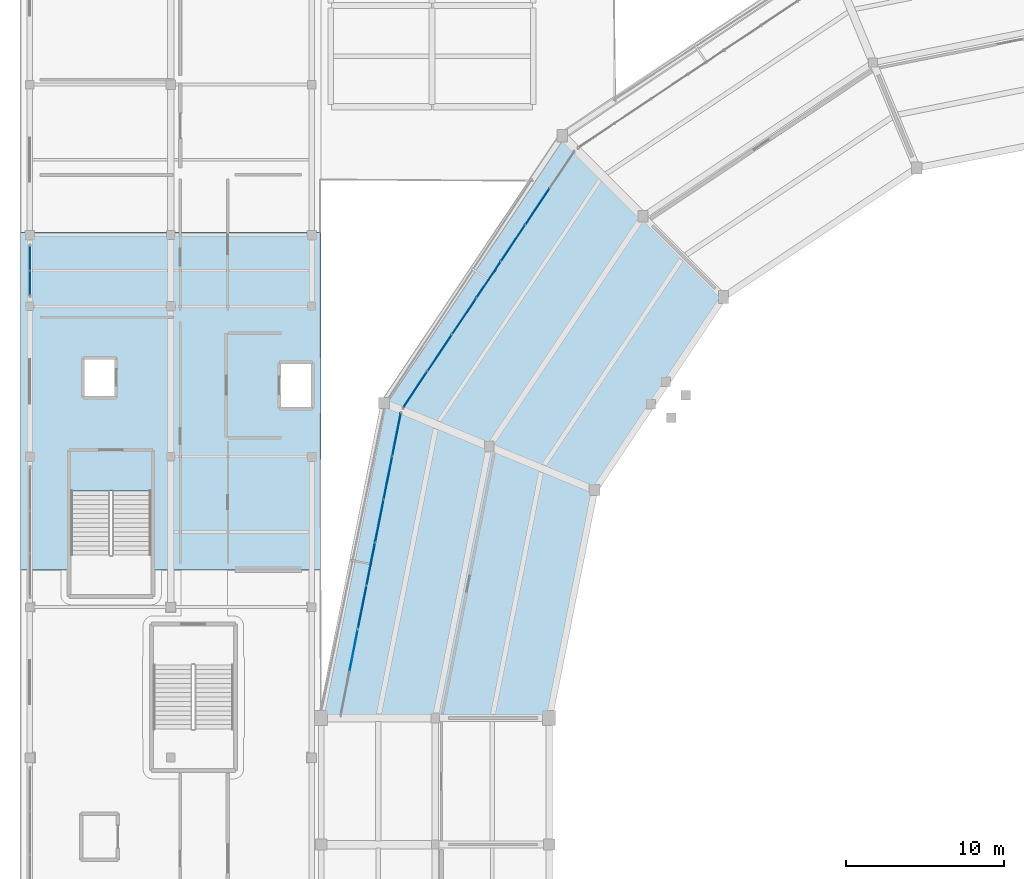
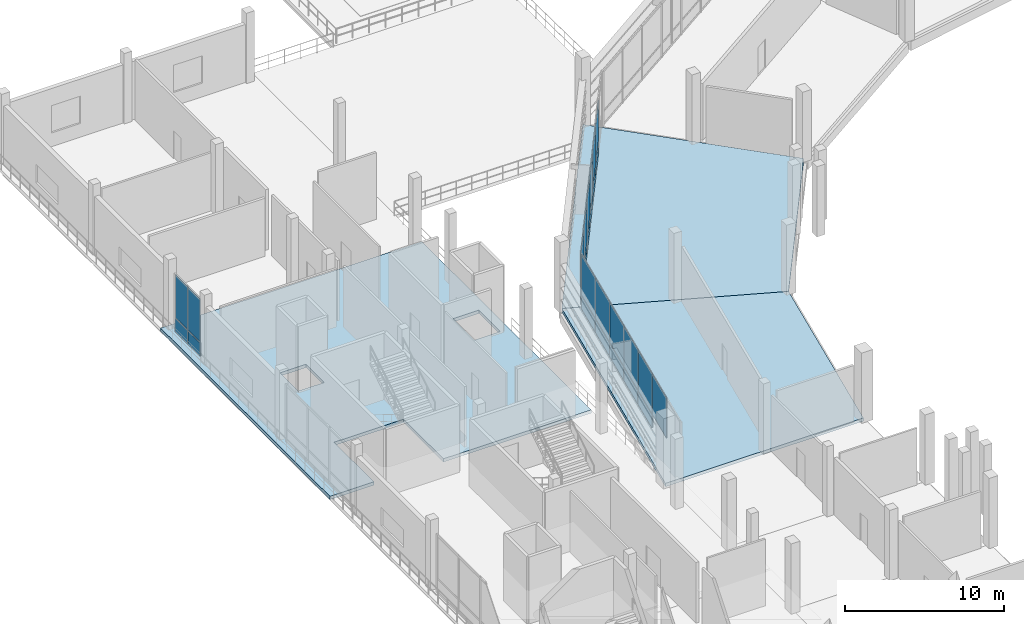
# One storey, part 62 of 111: 27 plates, 3 slabs, 3 elements without a shape of their own.
"""IFC4 building model written with IfcOpenShell, lengths in metres."""

from ifc_helpers import new_model, si_unit, direction, frame, origin, origin_2d, place, context, subcontext, project, spatial, polyline, rectangle, outline, extrude, material, layer, layer_set, type_object, element, aggregate, save


model = new_model("IFC4")

# Units and contexts
model_context = context("Model", 3, precision=1e-05, world=origin(), true_north=direction((0.0, 1.0)))
body_context = subcontext(model_context, "Body", "Model", "MODEL_VIEW")
ifc_project = project(units=[si_unit("LENGTHUNIT", "METRE"), si_unit("AREAUNIT", "SQUARE_METRE"), si_unit("VOLUMEUNIT", "CUBIC_METRE"), si_unit("PLANEANGLEUNIT", "RADIAN"), si_unit("MASSUNIT", "GRAM", prefix="KILO")], contexts=[model_context])

# Site, building, storey
site_placement = place(None, origin())
site = spatial("IfcSite", under=ifc_project, at=site_placement, CompositionType="ELEMENT")
building_placement = place(site_placement, origin())
building = spatial("IfcBuilding", under=site, at=building_placement, Name="Candeia Ridge Stadium", CompositionType="ELEMENT")
storey_placement = place(building_placement, frame((0.0, 0.0, 16.199951171875)))
storey = spatial("IfcBuildingStorey", under=building, at=storey_placement, Name="L03", CompositionType="ELEMENT", Elevation=16.199951171875)

# Slabs
ifc_material_1 = material(Name="Concrete C40/50", Category="concrete")
ifc_layer_1 = layer(ifc_material_1, 0.25, Name="Concrete C40/50", Category="concrete")
ifc_layer_set_1 = layer_set([ifc_layer_1], Name="Concrete C40/50")
slab_type = type_object("IfcSlabType", Name="Hospitality & Museum Slab 250", PredefinedType="FLOOR", material=ifc_layer_set_1)
slab_1_placement = place(storey_placement, frame((0.0, 0.0, -0.25)))
element("IfcSlab", 1, at=slab_1_placement, inside=storey, type_object=slab_type, Name="Bowl concourse sector slab L03 bay 10 SLB-L03-0118", PredefinedType="FLOOR", context=body_context, shape_type="SweptSolid", body=[
    extrude(outline(polyline([(36.26220703125, 109.388916015625), (22.958251953125, 114.8994140625), (34.208251953125, 131.736328125), (44.390625, 121.553955078125), (36.26220703125, 109.388916015625)])), origin(), (0.0, 0.0, 1.0), 0.25),
])
slab_2_placement = place(storey_placement, frame((0.0, 0.0, -0.25)))
element("IfcSlab", 2, at=slab_2_placement, inside=storey, type_object=slab_type, Name="Bowl concourse sector slab L03 bay 11 SLB-L03-0119", PredefinedType="FLOOR", context=body_context, shape_type="SweptSolid", body=[
    extrude(outline(polyline([(33.39990234375, 95.0), (19.0, 95.0), (22.958251953125, 114.8994140625), (36.26220703125, 109.388916015625), (33.39990234375, 95.0)])), origin(), (0.0, 0.0, 1.0), 0.25),
])
slab_3_placement = place(storey_placement, frame((0.0, 0.0, -0.25)))
element("IfcSlab", 3, at=slab_3_placement, inside=storey, type_object=slab_type, Name="Wing floor slab west SLB-L03-0280", PredefinedType="FLOOR", context=body_context, shape_type="SweptSolid", body=[
    extrude(outline(polyline([(0.0, 104.333251953125), (0.0, 125.666748046875), (19.0, 125.666748046875), (19.0, 104.333251953125), (8.25, 104.333251953125), (8.25, 109.349365234375), (3.199951171875, 109.349365234375), (3.199951171875, 104.333251953125), (0.0, 104.333251953125)]), holes=[polyline([(18.35009765625, 114.64990234375), (18.35009765625, 117.35009765625), (16.449951171875, 117.35009765625), (16.449951171875, 114.64990234375), (18.35009765625, 114.64990234375)]), polyline([(5.949951171875, 115.35009765625), (5.949951171875, 117.64990234375), (4.050048828125, 117.64990234375), (4.050048828125, 115.35009765625), (5.949951171875, 115.35009765625)])]), origin(), (0.0, 0.0, 1.0), 0.25),
])

# Curtain wall, plates
ifc_material_2 = material(Name="Aluminium Anodized Warm Bronze", Category="aluminium")
curtain_wall_type_1 = type_object("IfcCurtainWallType", Name="Concourse Recessed Unitised Curtain Wall", PredefinedType="NOTDEFINED", material=ifc_material_2)
curtain_wall_1_placement = place(storey_placement, origin())
curtain_wall_1 = element("IfcCurtainWall", 4, at=curtain_wall_1_placement, inside=storey, type_object=curtain_wall_type_1, Name="Unitised curtain wall CW-BWL-L03-09", PredefinedType="NOTDEFINED")
ifc_material_3 = material(Name="Aluminium Insulated Spandrel", Category="aluminium")
ifc_layer_2 = layer(ifc_material_3, 0.06494140625, Name="Aluminium Insulated Spandrel", Category="aluminium")
ifc_layer_set_2 = layer_set([ifc_layer_2], Name="Aluminium Insulated Spandrel")
plate_type_1 = type_object("IfcPlateType", Name="Insulated Bronze Spandrel Panel SP1", PredefinedType="CURTAIN_PANEL", material=ifc_layer_set_2)
plate_1_placement = place(storey_placement, frame((32.662109375, 127.303955078125, 0.0400390625), z_axis=(0.0, 0.0, 1.0), x_axis=(-0.555571447533, -0.831468800789, 0.0)))
plate_1 = element("IfcPlate", 5, at=plate_1_placement, type_object=plate_type_1, Name="Curtain wall spandrel panel CW-BWL-L03-09-SP1", PredefinedType="CURTAIN_PANEL", context=body_context, shape_type="SweptSolid", body=[
    extrude(rectangle(XDim=2.710205078125, YDim=0.06494140625, at=origin_2d()), origin(), (0.0, 0.0, 1.0), 0.97119140625),
])
plate_2_placement = place(storey_placement, frame((31.117431640625, 124.9921875, 0.0400390625), z_axis=(0.0, 0.0, 1.0), x_axis=(-0.555571447533, -0.831468800789, 0.0)))
plate_2 = element("IfcPlate", 6, at=plate_2_placement, type_object=plate_type_1, Name="Curtain wall spandrel panel CW-BWL-L03-09-SP2", PredefinedType="CURTAIN_PANEL", context=body_context, shape_type="SweptSolid", body=[
    extrude(rectangle(XDim=2.710205078125, YDim=0.06494140625, at=origin_2d()), origin(), (0.0, 0.0, 1.0), 0.97119140625),
])
plate_3_placement = place(storey_placement, frame((29.572998046875, 122.6806640625, 0.0400390625), z_axis=(0.0, 0.0, 1.0), x_axis=(-0.555571447533, -0.831468800789, 0.0)))
plate_3 = element("IfcPlate", 7, at=plate_3_placement, type_object=plate_type_1, Name="Curtain wall spandrel panel CW-BWL-L03-09-SP3", PredefinedType="CURTAIN_PANEL", context=body_context, shape_type="SweptSolid", body=[
    extrude(rectangle(XDim=2.710205078125, YDim=0.06494140625, at=origin_2d()), origin(), (0.0, 0.0, 1.0), 0.97119140625),
])
plate_4_placement = place(storey_placement, frame((28.0283203125, 120.369140625, 0.0400390625), z_axis=(0.0, 0.0, 1.0), x_axis=(-0.555571447533, -0.831468800789, 0.0)))
plate_4 = element("IfcPlate", 8, at=plate_4_placement, type_object=plate_type_1, Name="Curtain wall spandrel panel CW-BWL-L03-09-SP4", PredefinedType="CURTAIN_PANEL", context=body_context, shape_type="SweptSolid", body=[
    extrude(rectangle(XDim=2.710205078125, YDim=0.06494140625, at=origin_2d()), origin(), (0.0, 0.0, 1.0), 0.97119140625),
])
plate_5_placement = place(storey_placement, frame((26.48388671875, 118.057373046875, 0.0400390625), z_axis=(0.0, 0.0, 1.0), x_axis=(-0.555571447533, -0.831468800789, 0.0)))
plate_5 = element("IfcPlate", 9, at=plate_5_placement, type_object=plate_type_1, Name="Curtain wall spandrel panel CW-BWL-L03-09-SP5", PredefinedType="CURTAIN_PANEL", context=body_context, shape_type="SweptSolid", body=[
    extrude(rectangle(XDim=2.710205078125, YDim=0.06494140625, at=origin_2d()), origin(), (0.0, 0.0, 1.0), 0.97119140625),
])
plate_6_placement = place(storey_placement, frame((24.939208984375, 115.745849609375, 0.0400390625), z_axis=(0.0, 0.0, 1.0), x_axis=(-0.555571447533, -0.831468800789, 0.0)))
plate_6 = element("IfcPlate", 10, at=plate_6_placement, type_object=plate_type_1, Name="Curtain wall spandrel panel CW-BWL-L03-09-SP6", PredefinedType="CURTAIN_PANEL", context=body_context, shape_type="SweptSolid", body=[
    extrude(rectangle(XDim=2.710205078125, YDim=0.06494140625, at=origin_2d()), origin(), (0.0, 0.0, 1.0), 0.97119140625),
])

curtain_wall_2_placement = place(storey_placement, origin())
curtain_wall_2 = element("IfcCurtainWall", 11, at=curtain_wall_2_placement, inside=storey, type_object=curtain_wall_type_1, Name="Unitised curtain wall CW-BWL-L03-10", PredefinedType="NOTDEFINED")
ifc_layer_3 = layer(ifc_material_3, 0.06494140625, Name="Aluminium Insulated Spandrel", Category="aluminium")
ifc_layer_set_3 = layer_set([ifc_layer_3], Name="Aluminium Insulated Spandrel")
plate_type_2 = type_object("IfcPlateType", Name="Insulated Bronze Spandrel Panel SP2", PredefinedType="CURTAIN_PANEL", material=ifc_layer_set_3)
plate_7_placement = place(storey_placement, frame((23.760498046875, 112.900390625, 0.0400390625), z_axis=(0.0, 0.0, 1.0), x_axis=(-0.195090320544, -0.980785280696, 0.0)))
plate_7 = element("IfcPlate", 12, at=plate_7_placement, type_object=plate_type_2, Name="Curtain wall spandrel panel CW-BWL-L03-10-SP0", PredefinedType="CURTAIN_PANEL", context=body_context, shape_type="SweptSolid", body=[
    extrude(rectangle(XDim=2.710205078125, YDim=0.06494140625, at=origin_2d()), origin(), (0.0, 0.0, 1.0), 0.981201171875),
])
plate_8_placement = place(storey_placement, frame((23.21826171875, 110.173583984375, 0.0400390625), z_axis=(0.0, 0.0, 1.0), x_axis=(-0.195090320544, -0.980785280696, 0.0)))
plate_8 = element("IfcPlate", 13, at=plate_8_placement, type_object=plate_type_2, Name="Curtain wall spandrel panel CW-BWL-L03-10-SP1", PredefinedType="CURTAIN_PANEL", context=body_context, shape_type="SweptSolid", body=[
    extrude(rectangle(XDim=2.710205078125, YDim=0.06494140625, at=origin_2d()), origin(), (0.0, 0.0, 1.0), 0.981201171875),
])
plate_9_placement = place(storey_placement, frame((22.67578125, 107.447021484375, 0.0400390625), z_axis=(0.0, 0.0, 1.0), x_axis=(-0.195090320544, -0.980785280696, 0.0)))
plate_9 = element("IfcPlate", 14, at=plate_9_placement, type_object=plate_type_2, Name="Curtain wall spandrel panel CW-BWL-L03-10-SP2", PredefinedType="CURTAIN_PANEL", context=body_context, shape_type="SweptSolid", body=[
    extrude(rectangle(XDim=2.710205078125, YDim=0.06494140625, at=origin_2d()), origin(), (0.0, 0.0, 1.0), 0.981201171875),
])
plate_10_placement = place(storey_placement, frame((22.13330078125, 104.72021484375, 0.0400390625), z_axis=(0.0, 0.0, 1.0), x_axis=(-0.195090320544, -0.980785280696, 0.0)))
plate_10 = element("IfcPlate", 15, at=plate_10_placement, type_object=plate_type_2, Name="Curtain wall spandrel panel CW-BWL-L03-10-SP3", PredefinedType="CURTAIN_PANEL", context=body_context, shape_type="SweptSolid", body=[
    extrude(rectangle(XDim=2.710205078125, YDim=0.06494140625, at=origin_2d()), origin(), (0.0, 0.0, 1.0), 0.981201171875),
])
plate_11_placement = place(storey_placement, frame((21.591064453125, 101.993408203125, 0.0400390625), z_axis=(0.0, 0.0, 1.0), x_axis=(-0.195090320544, -0.980785280696, 0.0)))
plate_11 = element("IfcPlate", 16, at=plate_11_placement, type_object=plate_type_2, Name="Curtain wall spandrel panel CW-BWL-L03-10-SP4", PredefinedType="CURTAIN_PANEL", context=body_context, shape_type="SweptSolid", body=[
    extrude(rectangle(XDim=2.710205078125, YDim=0.06494140625, at=origin_2d()), origin(), (0.0, 0.0, 1.0), 0.981201171875),
])

curtain_wall_type_2 = type_object("IfcCurtainWallType", Name="West Pavilion Hospitality Curtain Wall", PredefinedType="NOTDEFINED", material=ifc_material_2)
curtain_wall_3_placement = place(storey_placement, origin())
curtain_wall_3 = element("IfcCurtainWall", 17, at=curtain_wall_3_placement, inside=storey, type_object=curtain_wall_type_2, Name="Unitised curtain wall CW-WNG-L03-092", PredefinedType="NOTDEFINED")
ifc_layer_4 = layer(ifc_material_3, 0.06494140625, Name="Aluminium Insulated Spandrel", Category="aluminium")
ifc_layer_set_4 = layer_set([ifc_layer_4], Name="Aluminium Insulated Spandrel")
plate_type_3 = type_object("IfcPlateType", Name="Insulated Cedar-Tone Spandrel Panel SP3", PredefinedType="CURTAIN_PANEL", material=ifc_layer_set_4)
plate_12_placement = place(storey_placement, frame((0.60009765625, 122.455078125, 0.0400390625), z_axis=(0.0, 0.0, 1.0), x_axis=(0.0, 1.0, 0.0)))
plate_12 = element("IfcPlate", 18, at=plate_12_placement, type_object=plate_type_3, Name="Curtain wall spandrel panel CW-WNG-L03-092-SP0", PredefinedType="CURTAIN_PANEL", context=body_context, shape_type="SweptSolid", body=[
    extrude(rectangle(XDim=1.52001953125, YDim=0.06494140625, at=origin_2d()), origin(), (0.0, 0.0, 1.0), 1.02001953125),
])
plate_13_placement = place(storey_placement, frame((0.60009765625, 124.044921875, 0.0400390625), z_axis=(0.0, 0.0, 1.0), x_axis=(0.0, 1.0, 0.0)))
plate_13 = element("IfcPlate", 19, at=plate_13_placement, type_object=plate_type_3, Name="Curtain wall spandrel panel CW-WNG-L03-092-SP1", PredefinedType="CURTAIN_PANEL", context=body_context, shape_type="SweptSolid", body=[
    extrude(rectangle(XDim=1.52001953125, YDim=0.06494140625, at=origin_2d()), origin(), (0.0, 0.0, 1.0), 1.02001953125),
])
ifc_material_4 = material(Name="Tempered Low-E Double Glazing", Category="glass")
ifc_layer_5 = layer(ifc_material_4, 0.035888671875, Name="Tempered Low-E Double Glazing", Category="glass")
ifc_layer_set_5 = layer_set([ifc_layer_5], Name="Tempered Low-E Double Glazing")
plate_type_4 = type_object("IfcPlateType", Name="Pavilion Panorama Glass Panel GP4", PredefinedType="CURTAIN_PANEL", material=ifc_layer_set_5)
plate_14_placement = place(storey_placement, frame((0.60009765625, 122.455078125, 1.14013671875), z_axis=(0.0, 0.0, 1.0), x_axis=(0.0, 1.0, 0.0)))
plate_14 = element("IfcPlate", 20, at=plate_14_placement, type_object=plate_type_4, Name="Curtain wall vision glass panel CW-WNG-L03-092-GP0", PredefinedType="CURTAIN_PANEL", context=body_context, shape_type="SweptSolid", body=[
    extrude(rectangle(XDim=1.52001953125, YDim=0.035888671875, at=origin_2d()), origin(), (0.0, 0.0, 1.0), 3.294921875),
])
plate_15_placement = place(storey_placement, frame((0.60009765625, 124.044921875, 1.14013671875), z_axis=(0.0, 0.0, 1.0), x_axis=(0.0, 1.0, 0.0)))
plate_15 = element("IfcPlate", 21, at=plate_15_placement, type_object=plate_type_4, Name="Curtain wall vision glass panel CW-WNG-L03-092-GP1", PredefinedType="CURTAIN_PANEL", context=body_context, shape_type="SweptSolid", body=[
    extrude(rectangle(XDim=1.52001953125, YDim=0.035888671875, at=origin_2d()), origin(), (0.0, 0.0, 1.0), 3.294921875),
])
aggregate(curtain_wall_3, [plate_12, plate_14, plate_13, plate_15])

# Plate
ifc_layer_6 = layer(ifc_material_4, 0.035888671875, Name="Tempered Low-E Double Glazing", Category="glass")
ifc_layer_set_6 = layer_set([ifc_layer_6], Name="Tempered Low-E Double Glazing")
plate_type_5 = type_object("IfcPlateType", Name="Solar Control Vision Glass Panel GP1", PredefinedType="CURTAIN_PANEL", material=ifc_layer_set_6)
plate_16_placement = place(storey_placement, frame((32.662109375, 127.303955078125, 1.09130859375), z_axis=(0.0, 0.0, 1.0), x_axis=(-0.555571447533, -0.831468800789, 0.0)))
plate_16 = element("IfcPlate", 22, at=plate_16_placement, type_object=plate_type_5, Name="Curtain wall vision glass panel CW-BWL-L03-09-GP1", PredefinedType="CURTAIN_PANEL", context=body_context, shape_type="SweptSolid", body=[
    extrude(rectangle(XDim=2.710205078125, YDim=0.035888671875, at=origin_2d()), origin(), (0.0, 0.0, 1.0), 3.07373046875),
])

plate_17_placement = place(storey_placement, frame((31.117431640625, 124.9921875, 1.09130859375), z_axis=(0.0, 0.0, 1.0), x_axis=(-0.555571447533, -0.831468800789, 0.0)))
plate_17 = element("IfcPlate", 23, at=plate_17_placement, type_object=plate_type_5, Name="Curtain wall vision glass panel CW-BWL-L03-09-GP2", PredefinedType="CURTAIN_PANEL", context=body_context, shape_type="SweptSolid", body=[
    extrude(rectangle(XDim=2.710205078125, YDim=0.035888671875, at=origin_2d()), origin(), (0.0, 0.0, 1.0), 3.07373046875),
])

plate_18_placement = place(storey_placement, frame((29.572998046875, 122.6806640625, 1.09130859375), z_axis=(0.0, 0.0, 1.0), x_axis=(-0.555571447533, -0.831468800789, 0.0)))
plate_18 = element("IfcPlate", 24, at=plate_18_placement, type_object=plate_type_5, Name="Curtain wall vision glass panel CW-BWL-L03-09-GP3", PredefinedType="CURTAIN_PANEL", context=body_context, shape_type="SweptSolid", body=[
    extrude(rectangle(XDim=2.710205078125, YDim=0.035888671875, at=origin_2d()), origin(), (0.0, 0.0, 1.0), 3.07373046875),
])

plate_19_placement = place(storey_placement, frame((28.0283203125, 120.369140625, 1.09130859375), z_axis=(0.0, 0.0, 1.0), x_axis=(-0.555571447533, -0.831468800789, 0.0)))
plate_19 = element("IfcPlate", 25, at=plate_19_placement, type_object=plate_type_5, Name="Curtain wall vision glass panel CW-BWL-L03-09-GP4", PredefinedType="CURTAIN_PANEL", context=body_context, shape_type="SweptSolid", body=[
    extrude(rectangle(XDim=2.710205078125, YDim=0.035888671875, at=origin_2d()), origin(), (0.0, 0.0, 1.0), 3.07373046875),
])

plate_20_placement = place(storey_placement, frame((26.48388671875, 118.057373046875, 1.09130859375), z_axis=(0.0, 0.0, 1.0), x_axis=(-0.555571447533, -0.831468800789, 0.0)))
plate_20 = element("IfcPlate", 26, at=plate_20_placement, type_object=plate_type_5, Name="Curtain wall vision glass panel CW-BWL-L03-09-GP5", PredefinedType="CURTAIN_PANEL", context=body_context, shape_type="SweptSolid", body=[
    extrude(rectangle(XDim=2.710205078125, YDim=0.035888671875, at=origin_2d()), origin(), (0.0, 0.0, 1.0), 3.07373046875),
])

plate_21_placement = place(storey_placement, frame((24.939208984375, 115.745849609375, 1.09130859375), z_axis=(0.0, 0.0, 1.0), x_axis=(-0.555571447533, -0.831468800789, 0.0)))
plate_21 = element("IfcPlate", 27, at=plate_21_placement, type_object=plate_type_5, Name="Curtain wall vision glass panel CW-BWL-L03-09-GP6", PredefinedType="CURTAIN_PANEL", context=body_context, shape_type="SweptSolid", body=[
    extrude(rectangle(XDim=2.710205078125, YDim=0.035888671875, at=origin_2d()), origin(), (0.0, 0.0, 1.0), 3.07373046875),
])

aggregate(curtain_wall_1, [plate_1, plate_16, plate_2, plate_17, plate_3, plate_18, plate_4, plate_19, plate_5, plate_20, plate_6, plate_21])

ifc_layer_7 = layer(ifc_material_4, 0.035888671875, Name="Tempered Low-E Double Glazing", Category="glass")
ifc_layer_set_7 = layer_set([ifc_layer_7], Name="Tempered Low-E Double Glazing")
plate_type_6 = type_object("IfcPlateType", Name="Solar Control Vision Glass Panel GP2", PredefinedType="CURTAIN_PANEL", material=ifc_layer_set_7)
plate_22_placement = place(storey_placement, frame((23.760498046875, 112.900390625, 1.10107421875), z_axis=(0.0, 0.0, 1.0), x_axis=(-0.195090320544, -0.980785280696, 0.0)))
plate_22 = element("IfcPlate", 28, at=plate_22_placement, type_object=plate_type_6, Name="Curtain wall vision glass panel CW-BWL-L03-10-GP0", PredefinedType="CURTAIN_PANEL", context=body_context, shape_type="SweptSolid", body=[
    extrude(rectangle(XDim=2.710205078125, YDim=0.035888671875, at=origin_2d()), origin(), (0.0, 0.0, 1.0), 3.103759765625),
])

plate_23_placement = place(storey_placement, frame((23.21826171875, 110.173583984375, 1.10107421875), z_axis=(0.0, 0.0, 1.0), x_axis=(-0.195090320544, -0.980785280696, 0.0)))
plate_23 = element("IfcPlate", 29, at=plate_23_placement, type_object=plate_type_6, Name="Curtain wall vision glass panel CW-BWL-L03-10-GP1", PredefinedType="CURTAIN_PANEL", context=body_context, shape_type="SweptSolid", body=[
    extrude(rectangle(XDim=2.710205078125, YDim=0.035888671875, at=origin_2d()), origin(), (0.0, 0.0, 1.0), 3.103759765625),
])

plate_24_placement = place(storey_placement, frame((22.67578125, 107.447021484375, 1.10107421875), z_axis=(0.0, 0.0, 1.0), x_axis=(-0.195090320544, -0.980785280696, 0.0)))
plate_24 = element("IfcPlate", 30, at=plate_24_placement, type_object=plate_type_6, Name="Curtain wall vision glass panel CW-BWL-L03-10-GP2", PredefinedType="CURTAIN_PANEL", context=body_context, shape_type="SweptSolid", body=[
    extrude(rectangle(XDim=2.710205078125, YDim=0.035888671875, at=origin_2d()), origin(), (0.0, 0.0, 1.0), 3.103759765625),
])

plate_25_placement = place(storey_placement, frame((22.13330078125, 104.72021484375, 1.10107421875), z_axis=(0.0, 0.0, 1.0), x_axis=(-0.195090320544, -0.980785280696, 0.0)))
plate_25 = element("IfcPlate", 31, at=plate_25_placement, type_object=plate_type_6, Name="Curtain wall vision glass panel CW-BWL-L03-10-GP3", PredefinedType="CURTAIN_PANEL", context=body_context, shape_type="SweptSolid", body=[
    extrude(rectangle(XDim=2.710205078125, YDim=0.035888671875, at=origin_2d()), origin(), (0.0, 0.0, 1.0), 3.103759765625),
])

plate_26_placement = place(storey_placement, frame((21.591064453125, 101.993408203125, 1.10107421875), z_axis=(0.0, 0.0, 1.0), x_axis=(-0.195090320544, -0.980785280696, 0.0)))
plate_26 = element("IfcPlate", 32, at=plate_26_placement, type_object=plate_type_6, Name="Curtain wall vision glass panel CW-BWL-L03-10-GP4", PredefinedType="CURTAIN_PANEL", context=body_context, shape_type="SweptSolid", body=[
    extrude(rectangle(XDim=2.710205078125, YDim=0.035888671875, at=origin_2d()), origin(), (0.0, 0.0, 1.0), 3.103759765625),
])

plate_27_placement = place(storey_placement, frame((21.048583984375, 99.2666015625, 1.10107421875), z_axis=(0.0, 0.0, 1.0), x_axis=(-0.195090320544, -0.980785280696, 0.0)))
plate_27 = element("IfcPlate", 33, at=plate_27_placement, type_object=plate_type_6, Name="Curtain wall vision glass panel CW-BWL-L03-10-GP5", PredefinedType="CURTAIN_PANEL", context=body_context, shape_type="SweptSolid", body=[
    extrude(rectangle(XDim=2.710205078125, YDim=0.035888671875, at=origin_2d()), origin(), (0.0, 0.0, 1.0), 3.103759765625),
])

aggregate(curtain_wall_2, [plate_7, plate_22, plate_8, plate_23, plate_9, plate_24, plate_10, plate_25, plate_11, plate_26, plate_27])

save(model, "model.ifc")
